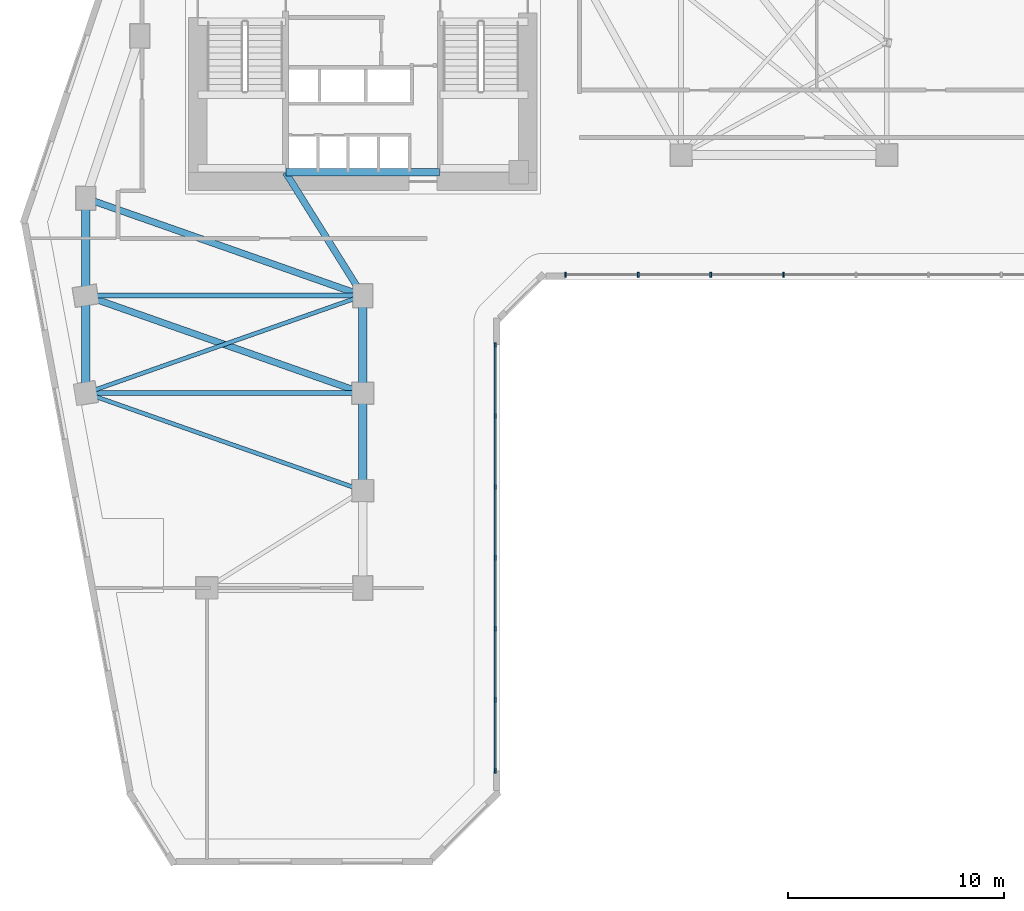
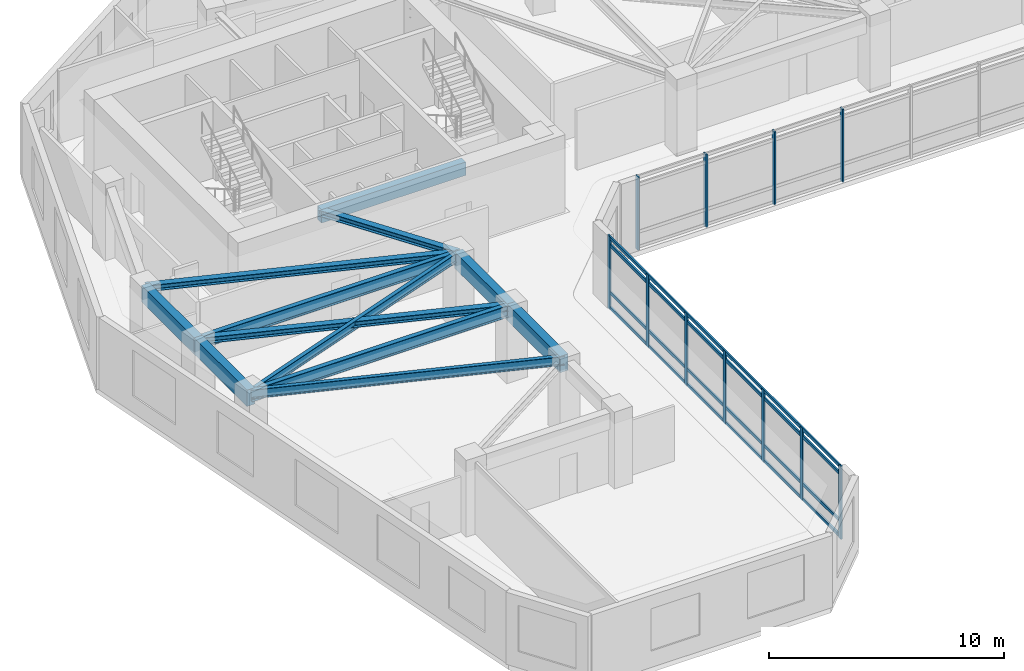
# One storey, part 2 of 11: 15 members, 12 beams, 2 elements without a shape of their own.
"""IFC4 building model written with IfcOpenShell, lengths in metres."""

from ifc_helpers import new_model, si_unit, direction, frame, origin, origin_2d, place, context, subcontext, project, spatial, rectangle, i_section, extrude, source, transform, mapped, material, material_profile, profile_set, type_object, element, aggregate, save


model = new_model("IFC4")

# Units and contexts
model_context = context("Model", 3, precision=1e-05, world=origin(), true_north=direction((0.0, 1.0)))
body_context = subcontext(model_context, "Body", "Model", "MODEL_VIEW")
ifc_project = project(units=[si_unit("LENGTHUNIT", "METRE"), si_unit("AREAUNIT", "SQUARE_METRE"), si_unit("VOLUMEUNIT", "CUBIC_METRE"), si_unit("PLANEANGLEUNIT", "RADIAN"), si_unit("MASSUNIT", "GRAM", prefix="KILO")], contexts=[model_context])

# Site, building, storey
site_placement = place(None, origin())
site = spatial("IfcSite", under=ifc_project, at=site_placement, CompositionType="ELEMENT")
building_placement = place(site_placement, origin())
building = spatial("IfcBuilding", under=site, at=building_placement, Name="Calvemar Wedge Station Tower", CompositionType="ELEMENT")
storey_placement = place(building_placement, frame((0.0, 0.0, 31.0)))
storey = spatial("IfcBuildingStorey", under=building, at=storey_placement, Name="L07", CompositionType="ELEMENT", Elevation=31.0)

# Beams
ifc_material_1 = material(Name="Concrete C60", Category="concrete")
ifc_material_profile_1 = material_profile(ifc_material_1, rectangle(XDim=0.39990234375, YDim=0.85009765625, at=origin_2d()), Name="RC400x850")
ifc_profile_set_1 = profile_set([ifc_material_profile_1], Name="Concrete C60")
beam_type_1 = type_object("IfcBeamType", Name="BM-SP1-850", PredefinedType="SPANDREL", material=ifc_profile_set_1)
shared_shape_1 = source(origin(), body_context, "Body", "SweptSolid", [
    extrude(rectangle(XDim=0.39990234375, YDim=0.85009765625, at=origin_2d()), origin(), (0.0, 0.0, 1.0), 4.5),
])
for number, where, z_axis, x_axis, name in (
    (1, (11.0, 33.0, 3.324951171875), (0.0, -1.0, 0.0), (1.0, 0.0, 0.0), "Storey L07 Spandrel T-NW1-T-SW1"),
    (2, (11.0, 28.5, 3.324951171875), (0.0, -1.0, 0.0), (1.0, 0.0, 0.0), "Storey L07 Spandrel T-SW1-T-SW2"),
    (3, (23.800048828125, 28.5, 3.324951171875), (0.0, -1.0, 0.0), (1.0, 0.0, 0.0), "Storey L07 Spandrel T-SE1-T-SE2"),
    (4, (23.800048828125, 24.0, 3.324951171875), (0.0, -1.0, 0.0), (1.0, 0.0, 0.0), "Storey L07 Spandrel T-SE2-T-SE3"),
):
    element("IfcBeam", number, at=place(storey_placement, frame(where, z_axis=z_axis, x_axis=x_axis)), inside=storey, type_object=beam_type_1, Name=name, PredefinedType="SPANDREL", context=body_context, shape_type="MappedRepresentation", body=[
        mapped(shared_shape_1, transform((0.0, 0.0, 0.0), scale=1.0)),
    ])
ifc_material_2 = material(Name="Structural steel ASTM A572 Grade 50", Category="steel")
ifc_material_profile_2 = material_profile(ifc_material_2, i_section(OverallWidth=0.22998046875, OverallDepth=0.616943359375, WebThickness=0.01318359375, FlangeThickness=0.022216796875, FilletRadius=0.012939453125, at=origin_2d()), Name="W610x140")
ifc_profile_set_2 = profile_set([ifc_material_profile_2], Name="Structural steel ASTM A572 Grade 50")
beam_type_2 = type_object("IfcBeamType", Name="BM-SB2-W610", PredefinedType="BEAM", material=ifc_profile_set_2)
shared_shape_2 = source(origin(), body_context, "Body", "SweptSolid", [
    extrude(i_section(OverallWidth=0.22998046875, OverallDepth=0.616943359375, WebThickness=0.01318359375, FlangeThickness=0.022216796875, FilletRadius=0.012939453125, at=origin_2d()), origin(), (0.0, 0.0, 1.0), 12.800048828125),
])
for number, where, z_axis, x_axis, name in (
    (5, (11.0, 28.5, 3.44140625), (1.0, 0.0, 0.0), (0.0, 1.0, 0.0), "Storey L07 Floor Beam T-SW1-T-SE1"),
    (6, (11.0, 24.0, 3.44140625), (1.0, 0.0, 0.0), (0.0, 1.0, 0.0), "Storey L07 Floor Beam T-SW2-T-SE2"),
):
    element("IfcBeam", number, at=place(storey_placement, frame(where, z_axis=z_axis, x_axis=x_axis)), inside=storey, type_object=beam_type_2, Name=name, PredefinedType="BEAM", context=body_context, shape_type="MappedRepresentation", body=[
        mapped(shared_shape_2, transform((0.0, 0.0, 0.0), scale=1.0)),
    ])
ifc_material_3 = material(Name="Concrete C70", Category="concrete")
ifc_material_profile_3 = material_profile(ifc_material_3, rectangle(XDim=0.35009765625, YDim=0.699951171875, at=origin_2d()), Name="RC350x700")
ifc_profile_set_3 = profile_set([ifc_material_profile_3], Name="Concrete C70")
beam_type_3 = type_object("IfcBeamType", Name="BM-LN1-700", PredefinedType="LINTEL", material=ifc_profile_set_3)
shared_shape_3 = source(origin(), body_context, "Body", "SweptSolid", [
    extrude(rectangle(XDim=0.35009765625, YDim=0.699951171875, at=origin_2d()), origin(), (0.0, 0.0, 1.0), 7.10009765625),
])
beam_1_placement = place(storey_placement, frame((20.25, 34.199951171875, 3.39990234375), z_axis=(1.0, 0.0, 0.0), x_axis=(0.0, 1.0, 0.0)))
element("IfcBeam", 7, at=beam_1_placement, inside=storey, type_object=beam_type_3, Name="Storey L07 Core Coupling Lintel South", PredefinedType="LINTEL", context=body_context, shape_type="MappedRepresentation", body=[
    mapped(shared_shape_3, transform((0.0, 0.0, 0.0), scale=1.0)),
])
ifc_material_profile_4 = material_profile(ifc_material_2, i_section(OverallWidth=0.30908203125, OverallDepth=0.322998046875, WebThickness=0.013916015625, FlangeThickness=0.02294921875, FilletRadius=0.014892578125, at=origin_2d()), Name="W310x143")
ifc_profile_set_4 = profile_set([ifc_material_profile_4], Name="Structural steel ASTM A572 Grade 50")
beam_type_4 = type_object("IfcBeamType", Name="BM-J5-W310H", PredefinedType="JOIST", material=ifc_profile_set_4)
shared_shape_4 = source(origin(), body_context, "Body", "SweptSolid", [
    extrude(i_section(OverallWidth=0.30908203125, OverallDepth=0.322998046875, WebThickness=0.013916015625, FlangeThickness=0.02294921875, FilletRadius=0.014892578125, at=origin_2d()), origin(), (0.0, 0.0, 1.0), 13.568115234375),
])
for number, where, z_axis, x_axis, name in (
    (8, (11.0, 33.0, 3.58837890625), (0.943398221169, -0.331662171939, 0.0), (0.331662171939, 0.943398221169, 0.0), "Storey L07 Floor Beam T-NW1-T-SE1"),
    (9, (11.0, 28.5, 3.58837890625), (0.943398221169, -0.331662171939, 0.0), (0.331662171939, 0.943398221169, 0.0), "Storey L07 Floor Beam T-SW1-T-SE2"),
):
    element("IfcBeam", number, at=place(storey_placement, frame(where, z_axis=z_axis, x_axis=x_axis)), inside=storey, type_object=beam_type_4, Name=name, PredefinedType="JOIST", context=body_context, shape_type="MappedRepresentation", body=[
        mapped(shared_shape_4, transform((0.0, 0.0, 0.0), scale=1.0)),
    ])
ifc_material_profile_5 = material_profile(ifc_material_2, i_section(OverallWidth=0.19189453125, OverallDepth=0.462890625, WebThickness=0.010498046875, FlangeThickness=0.017578125, FilletRadius=0.012939453125, at=origin_2d()), Name="W460x89")
ifc_profile_set_5 = profile_set([ifc_material_profile_5], Name="Structural steel ASTM A572 Grade 50")
beam_type_5 = type_object("IfcBeamType", Name="BM-J1-W460", PredefinedType="JOIST", material=ifc_profile_set_5)
shared_shape_5 = source(origin(), body_context, "Body", "SweptSolid", [
    extrude(i_section(OverallWidth=0.19189453125, OverallDepth=0.462890625, WebThickness=0.010498046875, FlangeThickness=0.017578125, FilletRadius=0.012939453125, at=origin_2d()), origin(), (0.0, 0.0, 1.0), 13.568115234375),
])
for number, where, z_axis, x_axis, name in (
    (10, (23.800048828125, 28.5, 3.5185546875), (-0.943398221169, -0.331662171939, 0.0), (0.331662171939, -0.943398221169, 0.0), "Storey L07 Floor Beam T-SE1-T-SW2"),
    (11, (11.0, 24.0, 3.5185546875), (0.943398221169, -0.331662171939, 0.0), (0.331662171939, 0.943398221169, 0.0), "Storey L07 Floor Beam T-SW2-T-SE3"),
):
    element("IfcBeam", number, at=place(storey_placement, frame(where, z_axis=z_axis, x_axis=x_axis)), inside=storey, type_object=beam_type_5, Name=name, PredefinedType="JOIST", context=body_context, shape_type="MappedRepresentation", body=[
        mapped(shared_shape_5, transform((0.0, 0.0, 0.0), scale=1.0)),
    ])
shared_shape_6 = source(origin(), body_context, "Body", "SweptSolid", [
    extrude(i_section(OverallWidth=0.30908203125, OverallDepth=0.322998046875, WebThickness=0.013916015625, FlangeThickness=0.02294921875, FilletRadius=0.014892578125, at=origin_2d()), origin(), (0.0, 0.0, 1.0), 6.7255859375),
])
beam_2_placement = place(storey_placement, frame((20.22998046875, 34.199951171875, 3.58837890625), z_axis=(0.530811158438, -0.847490126242, 0.0), x_axis=(0.847490126242, 0.530811158438, 0.0)))
element("IfcBeam", 12, at=beam_2_placement, inside=storey, type_object=beam_type_4, Name="Storey L07 Core-to-Column Joist CJ-S2", PredefinedType="JOIST", context=body_context, shape_type="MappedRepresentation", body=[
    mapped(shared_shape_6, transform((0.0, 0.0, 0.0), scale=1.0)),
])

# Curtain wall, members
ifc_material_4 = material(Name="Anodised aluminium 6063-T6", Category="aluminium")
curtain_wall_type = type_object("IfcCurtainWallType", Name="CW1", PredefinedType="NOTDEFINED", material=ifc_material_4)
curtain_wall_1_placement = place(storey_placement, origin())
curtain_wall_1 = element("IfcCurtainWall", 13, at=curtain_wall_1_placement, inside=storey, type_object=curtain_wall_type, Name="Storey L07 CW1 Recessed Unitised Curtain Wall 4", PredefinedType="NOTDEFINED")
ifc_material_profile_6 = material_profile(ifc_material_4, rectangle(XDim=0.080078125, YDim=0.219970703125, at=origin_2d()), Name="AL-MUL-80x220")
ifc_profile_set_6 = profile_set([ifc_material_profile_6], Name="Anodised aluminium 6063-T6")
member_type_1 = type_object("IfcMemberType", Name="CW1-MUL", PredefinedType="MULLION", material=ifc_profile_set_6)
shared_shape_7 = source(origin(), body_context, "Body", "SweptSolid", [
    extrude(rectangle(XDim=0.080078125, YDim=0.219970703125, at=origin_2d()), origin(), (0.0, 0.0, 1.0), 3.800048828125),
])
member_1_placement = place(storey_placement, frame((29.91796875, 6.56201171875, -0.050048828125), z_axis=(0.0, 0.0, 1.0), x_axis=(1.0, 0.0, 0.0)))
member_1 = element("IfcMember", 14, at=member_1_placement, type_object=member_type_1, Name="CW1 mullion 1", PredefinedType="MULLION", context=body_context, shape_type="MappedRepresentation", body=[
    mapped(shared_shape_7, transform((0.0, 0.0, 0.0), scale=1.0)),
])
member_2_placement = place(storey_placement, frame((29.91796875, 9.8388671875, -0.050048828125), z_axis=(0.0, 0.0, 1.0), x_axis=(1.0, 0.0, 0.0)))
member_2 = element("IfcMember", 15, at=member_2_placement, type_object=member_type_1, Name="CW1 mullion 2", PredefinedType="MULLION", context=body_context, shape_type="MappedRepresentation", body=[
    mapped(shared_shape_7, transform((0.0, 0.0, 0.0), scale=1.0)),
])
member_3_placement = place(storey_placement, frame((29.91796875, 13.115478515625, -0.050048828125), z_axis=(0.0, 0.0, 1.0), x_axis=(1.0, 0.0, 0.0)))
member_3 = element("IfcMember", 16, at=member_3_placement, type_object=member_type_1, Name="CW1 mullion 3", PredefinedType="MULLION", context=body_context, shape_type="MappedRepresentation", body=[
    mapped(shared_shape_7, transform((0.0, 0.0, 0.0), scale=1.0)),
])
member_4_placement = place(storey_placement, frame((29.91796875, 16.39208984375, -0.050048828125), z_axis=(0.0, 0.0, 1.0), x_axis=(1.0, 0.0, 0.0)))
member_4 = element("IfcMember", 17, at=member_4_placement, type_object=member_type_1, Name="CW1 mullion 4", PredefinedType="MULLION", context=body_context, shape_type="MappedRepresentation", body=[
    mapped(shared_shape_7, transform((0.0, 0.0, 0.0), scale=1.0)),
])
member_5_placement = place(storey_placement, frame((29.91796875, 19.668701171875, -0.050048828125), z_axis=(0.0, 0.0, 1.0), x_axis=(1.0, 0.0, 0.0)))
member_5 = element("IfcMember", 18, at=member_5_placement, type_object=member_type_1, Name="CW1 mullion 5", PredefinedType="MULLION", context=body_context, shape_type="MappedRepresentation", body=[
    mapped(shared_shape_7, transform((0.0, 0.0, 0.0), scale=1.0)),
])
member_6_placement = place(storey_placement, frame((29.91796875, 22.9453125, -0.050048828125), z_axis=(0.0, 0.0, 1.0), x_axis=(1.0, 0.0, 0.0)))
member_6 = element("IfcMember", 19, at=member_6_placement, type_object=member_type_1, Name="CW1 mullion 6", PredefinedType="MULLION", context=body_context, shape_type="MappedRepresentation", body=[
    mapped(shared_shape_7, transform((0.0, 0.0, 0.0), scale=1.0)),
])
member_7_placement = place(storey_placement, frame((29.91796875, 26.22216796875, -0.050048828125), z_axis=(0.0, 0.0, 1.0), x_axis=(1.0, 0.0, 0.0)))
member_7 = element("IfcMember", 20, at=member_7_placement, type_object=member_type_1, Name="CW1 mullion 7", PredefinedType="MULLION", context=body_context, shape_type="MappedRepresentation", body=[
    mapped(shared_shape_7, transform((0.0, 0.0, 0.0), scale=1.0)),
])

curtain_wall_2_placement = place(storey_placement, origin())
curtain_wall_2 = element("IfcCurtainWall", 21, at=curtain_wall_2_placement, inside=storey, type_object=curtain_wall_type, Name="Storey L07 CW1 Recessed Unitised Curtain Wall 6", PredefinedType="NOTDEFINED")
member_8_placement = place(storey_placement, frame((33.166015625, 29.469970703125, -0.050048828125), z_axis=(0.0, 0.0, 1.0), x_axis=(1.0, 0.0, 0.0)))
member_8 = element("IfcMember", 22, at=member_8_placement, type_object=member_type_1, Name="CW1 mullion 1", PredefinedType="MULLION", context=body_context, shape_type="MappedRepresentation", body=[
    mapped(shared_shape_7, transform((0.0, 0.0, 0.0), scale=1.0)),
])
member_9_placement = place(storey_placement, frame((36.51904296875, 29.469970703125, -0.050048828125), z_axis=(0.0, 0.0, 1.0), x_axis=(1.0, 0.0, 0.0)))
member_9 = element("IfcMember", 23, at=member_9_placement, type_object=member_type_1, Name="CW1 mullion 2", PredefinedType="MULLION", context=body_context, shape_type="MappedRepresentation", body=[
    mapped(shared_shape_7, transform((0.0, 0.0, 0.0), scale=1.0)),
])
member_10_placement = place(storey_placement, frame((39.872314453125, 29.469970703125, -0.050048828125), z_axis=(0.0, 0.0, 1.0), x_axis=(1.0, 0.0, 0.0)))
member_10 = element("IfcMember", 24, at=member_10_placement, type_object=member_type_1, Name="CW1 mullion 3", PredefinedType="MULLION", context=body_context, shape_type="MappedRepresentation", body=[
    mapped(shared_shape_7, transform((0.0, 0.0, 0.0), scale=1.0)),
])
member_11_placement = place(storey_placement, frame((43.225341796875, 29.469970703125, -0.050048828125), z_axis=(0.0, 0.0, 1.0), x_axis=(1.0, 0.0, 0.0)))
member_11 = element("IfcMember", 25, at=member_11_placement, type_object=member_type_1, Name="CW1 mullion 4", PredefinedType="MULLION", context=body_context, shape_type="MappedRepresentation", body=[
    mapped(shared_shape_7, transform((0.0, 0.0, 0.0), scale=1.0)),
])
aggregate(curtain_wall_2, [member_8, member_9, member_10, member_11])

# Member
ifc_material_profile_7 = material_profile(ifc_material_4, rectangle(XDim=0.080078125, YDim=0.159912109375, at=origin_2d()), Name="AL-TRN-80x160")
ifc_profile_set_7 = profile_set([ifc_material_profile_7], Name="Anodised aluminium 6063-T6")
member_type_2 = type_object("IfcMemberType", Name="CW1-TRN", PredefinedType="USERDEFINED", material=ifc_profile_set_7)
shared_shape_8 = source(origin(), body_context, "Body", "SweptSolid", [
    extrude(rectangle(XDim=0.080078125, YDim=0.159912109375, at=origin_2d()), origin(), (0.0, 0.0, 1.0), 19.66015625),
])
member_12_placement = place(storey_placement, frame((29.91796875, 6.56201171875, 0.06005859375), z_axis=(0.0, 1.0, 0.0), x_axis=(-1.0, 0.0, 0.0)))
member_12 = element("IfcMember", 26, at=member_12_placement, type_object=member_type_2, Name="CW1 transom 1", ObjectType="TRANSOM", PredefinedType="USERDEFINED", context=body_context, shape_type="MappedRepresentation", body=[
    mapped(shared_shape_8, transform((0.0, 0.0, 0.0), scale=1.0)),
])

member_13_placement = place(storey_placement, frame((29.91796875, 6.56201171875, 0.85009765625), z_axis=(0.0, 1.0, 0.0), x_axis=(-1.0, 0.0, 0.0)))
member_13 = element("IfcMember", 27, at=member_13_placement, type_object=member_type_2, Name="CW1 transom 2", ObjectType="TRANSOM", PredefinedType="USERDEFINED", context=body_context, shape_type="MappedRepresentation", body=[
    mapped(shared_shape_8, transform((0.0, 0.0, 0.0), scale=1.0)),
])

member_14_placement = place(storey_placement, frame((29.91796875, 6.56201171875, 3.300048828125), z_axis=(0.0, 1.0, 0.0), x_axis=(-1.0, 0.0, 0.0)))
member_14 = element("IfcMember", 28, at=member_14_placement, type_object=member_type_2, Name="CW1 transom 3", ObjectType="TRANSOM", PredefinedType="USERDEFINED", context=body_context, shape_type="MappedRepresentation", body=[
    mapped(shared_shape_8, transform((0.0, 0.0, 0.0), scale=1.0)),
])

member_15_placement = place(storey_placement, frame((29.91796875, 6.56201171875, 3.68994140625), z_axis=(0.0, 1.0, 0.0), x_axis=(-1.0, 0.0, 0.0)))
member_15 = element("IfcMember", 29, at=member_15_placement, type_object=member_type_2, Name="CW1 transom 4", ObjectType="TRANSOM", PredefinedType="USERDEFINED", context=body_context, shape_type="MappedRepresentation", body=[
    mapped(shared_shape_8, transform((0.0, 0.0, 0.0), scale=1.0)),
])

aggregate(curtain_wall_1, [member_1, member_2, member_3, member_4, member_5, member_6, member_7, member_12, member_13, member_14, member_15])

save(model, "model.ifc")
